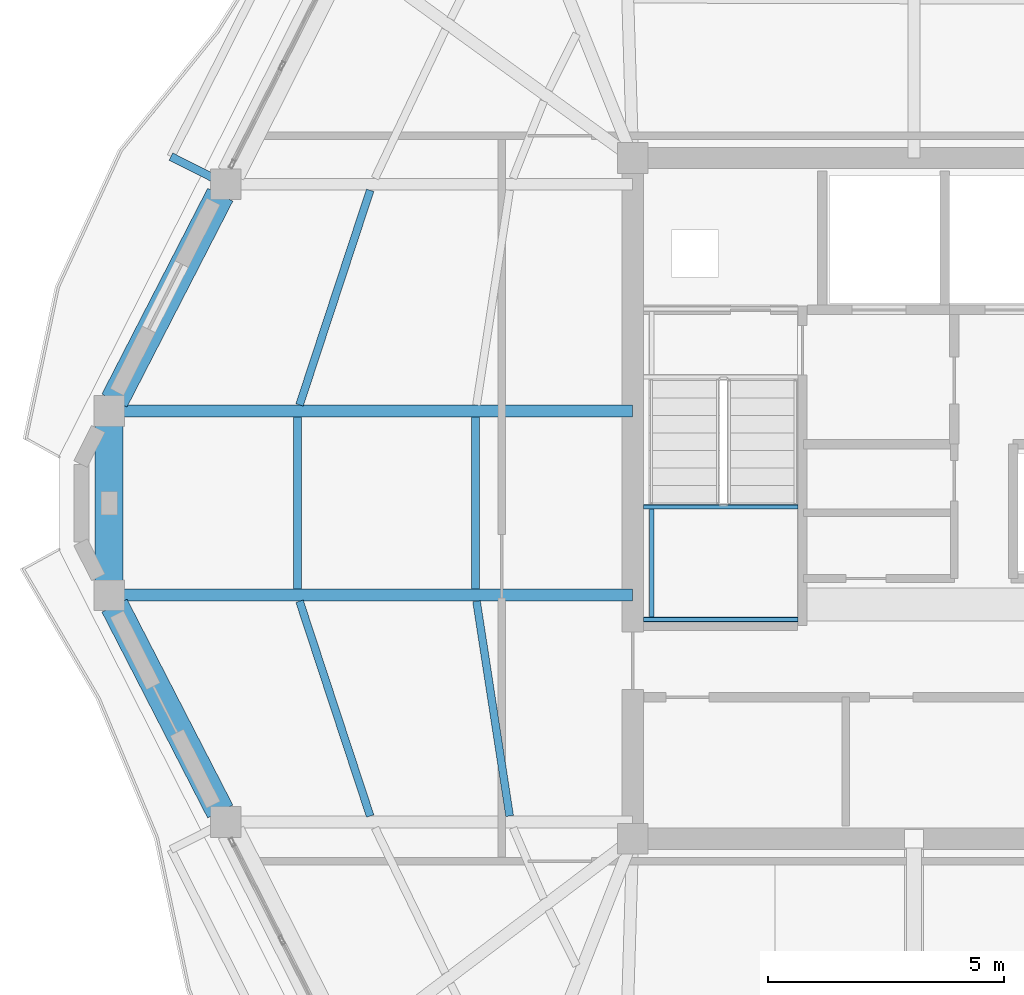
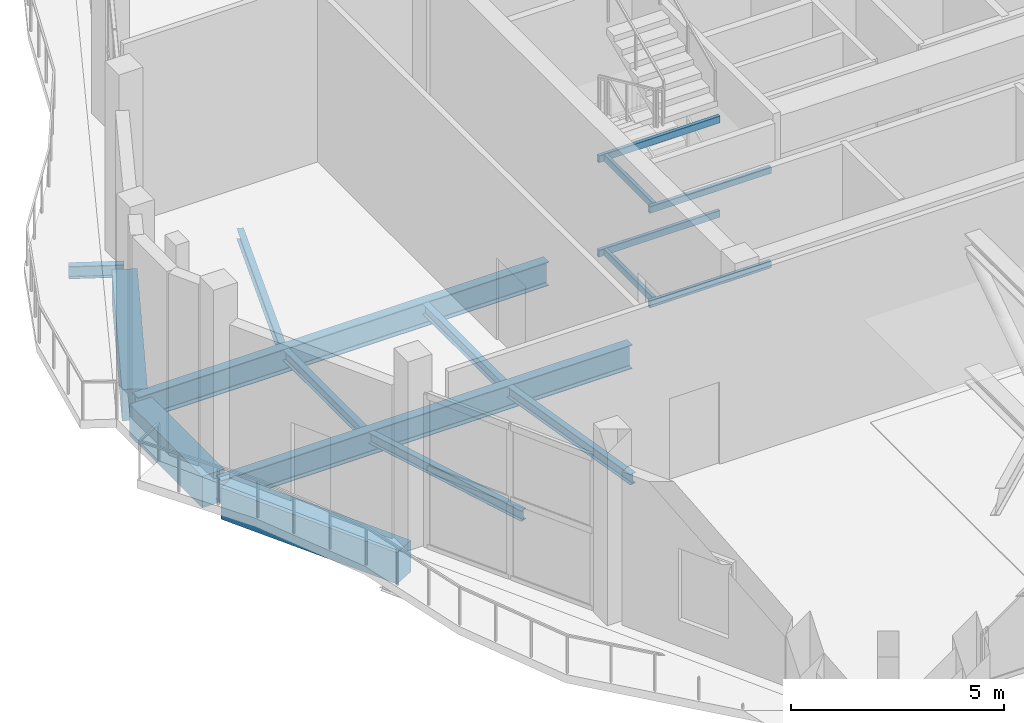
# One storey, part 7 of 23: 17 beams.
"""IFC4 building model written with IfcOpenShell, lengths in metres."""

from ifc_helpers import new_model, si_unit, direction, frame, origin, origin_2d, place, context, subcontext, project, spatial, rectangle, hollow_rectangle, i_section, extrude, material, material_profile, profile_set, type_object, element, save


model = new_model("IFC4")

# Units and contexts
model_context = context("Model", 3, precision=1e-05, world=origin(), true_north=direction((0.0, 1.0)))
body_context = subcontext(model_context, "Body", "Model", "MODEL_VIEW")
ifc_project = project(units=[si_unit("LENGTHUNIT", "METRE"), si_unit("AREAUNIT", "SQUARE_METRE"), si_unit("VOLUMEUNIT", "CUBIC_METRE"), si_unit("PLANEANGLEUNIT", "RADIAN"), si_unit("MASSUNIT", "GRAM", prefix="KILO")], contexts=[model_context])

# Site, building, storey
site_placement = place(None, origin())
site = spatial("IfcSite", under=ifc_project, at=site_placement, CompositionType="ELEMENT")
building_placement = place(site_placement, origin())
building = spatial("IfcBuilding", under=site, at=building_placement, Name="Cinnabar Lancet Tower", CompositionType="ELEMENT")
storey_placement = place(building_placement, frame((0.0, 0.0, 278.10009765625)))
storey = spatial("IfcBuildingStorey", under=building, at=storey_placement, Name="L74", CompositionType="ELEMENT", Elevation=278.10009765625)

# Beams
ifc_material_1 = material(Name="Structural steel S355", Category="steel")
ifc_material_profile_1 = material_profile(ifc_material_1, i_section(OverallWidth=0.1650390625, OverallDepth=0.303466796875, WebThickness=0.006103515625, FlangeThickness=0.01025390625, FilletRadius=0.0087890625, at=origin_2d()), Name="UKB 305x165x40")
ifc_profile_set_1 = profile_set([ifc_material_profile_1], Name="Structural steel S355")
beam_type_1 = type_object("IfcBeamType", Name="STR-BM-JST-305", PredefinedType="JOIST", material=ifc_profile_set_1)
beam_1_placement = place(storey_placement, frame((16.10498046875, 23.718017578125, -0.43212890625), z_axis=(0.312409135154, -0.949947647122, 0.0), x_axis=(0.949947647122, 0.312409135154, 0.0)))
element("IfcBeam", 1, at=beam_1_placement, inside=storey, type_object=beam_type_1, Name="L74 Secondary Floor Joist 1", PredefinedType="JOIST", context=body_context, shape_type="SweptSolid", body=[
    extrude(i_section(OverallWidth=0.1650390625, OverallDepth=0.303466796875, WebThickness=0.006103515625, FlangeThickness=0.01025390625, FilletRadius=0.0087890625, at=origin_2d()), origin(), (0.0, 0.0, 1.0), 4.79833984375),
])
beam_2_placement = place(storey_placement, frame((19.861083984375, 23.718017578125, -0.43212890625), z_axis=(0.152403249004, -0.988318394898, 0.0), x_axis=(0.988318394898, 0.152403249004, 0.0)))
element("IfcBeam", 2, at=beam_2_placement, inside=storey, type_object=beam_type_1, Name="L74 Secondary Floor Joist 2", PredefinedType="JOIST", context=body_context, shape_type="SweptSolid", body=[
    extrude(i_section(OverallWidth=0.1650390625, OverallDepth=0.303466796875, WebThickness=0.006103515625, FlangeThickness=0.01025390625, FilletRadius=0.0087890625, at=origin_2d()), origin(), (0.0, 0.0, 1.0), 4.612060546875),
])
beam_3_placement = place(storey_placement, frame((17.60400390625, 32.43994140625, -0.43212890625), z_axis=(-0.312424235907, -0.949942680806, 0.0), x_axis=(0.949942680806, -0.312424235907, 0.0)))
element("IfcBeam", 3, at=beam_3_placement, inside=storey, type_object=beam_type_1, Name="L74 Secondary Floor Joist 41", PredefinedType="JOIST", context=body_context, shape_type="SweptSolid", body=[
    extrude(i_section(OverallWidth=0.1650390625, OverallDepth=0.303466796875, WebThickness=0.006103515625, FlangeThickness=0.01025390625, FilletRadius=0.0087890625, at=origin_2d()), origin(), (0.0, 0.0, 1.0), 4.798095703125),
])
for number, where, z_axis, x_axis, name in (
    (4, (16.06298828125, 27.6279296875, -0.43212890625), (0.0, -1.0, 0.0), (1.0, 0.0, 0.0), "L74 Secondary Floor Joist 43"),
    (5, (19.841064453125, 27.6279296875, -0.43212890625), (0.0, -1.0, 0.0), (1.0, 0.0, 0.0), "L74 Secondary Floor Joist 44"),
):
    element("IfcBeam", number, at=place(storey_placement, frame(where, z_axis=z_axis, x_axis=x_axis)), inside=storey, type_object=beam_type_1, Name=name, PredefinedType="JOIST", context=body_context, shape_type="SweptSolid", body=[
        extrude(i_section(OverallWidth=0.1650390625, OverallDepth=0.303466796875, WebThickness=0.006103515625, FlangeThickness=0.01025390625, FilletRadius=0.0087890625, at=origin_2d()), origin(), (0.0, 0.0, 1.0), 3.656005859375),
    ])
ifc_material_2 = material(Name="Structural steel S355", Category="steel")
ifc_material_profile_2 = material_profile(ifc_material_2, hollow_rectangle(XDim=0.10009765625, YDim=0.199951171875, WallThickness=0.008056640625, InnerFilletRadius=0.00390625, OuterFilletRadius=0.011962890625, at=origin_2d()), Name="RHS 200x100x8")
ifc_profile_set_2 = profile_set([ifc_material_profile_2], Name="Structural steel S355")
beam_type_2 = type_object("IfcBeamType", Name="STR-BM-LND-203", PredefinedType="BEAM", material=ifc_profile_set_2)
for number, where, z_axis, x_axis, name in (
    (6, (23.39990234375, 23.330078125, 1.0498046875), (1.0, 0.0, 0.0), (0.0, 1.0, 0.0), "L74 ST-1-L74 Landing Support Beam S"),
    (7, (23.39990234375, 25.719970703125, 1.0498046875), (1.0, 0.0, 0.0), (0.0, 1.0, 0.0), "L74 ST-1-L74 Landing Support Beam N"),
):
    element("IfcBeam", number, at=place(storey_placement, frame(where, z_axis=z_axis, x_axis=x_axis)), inside=storey, type_object=beam_type_2, Name=name, PredefinedType="BEAM", context=body_context, shape_type="SweptSolid", body=[
        extrude(hollow_rectangle(XDim=0.10009765625, YDim=0.199951171875, WallThickness=0.008056640625, InnerFilletRadius=0.00390625, OuterFilletRadius=0.011962890625, at=origin_2d()), origin(), (0.0, 0.0, 1.0), 3.280029296875),
    ])
beam_4_placement = place(storey_placement, frame((23.580078125, 23.3798828125, 1.0498046875), z_axis=(0.0, 1.0, 0.0), x_axis=(-1.0, 0.0, 0.0)))
element("IfcBeam", 8, at=beam_4_placement, inside=storey, type_object=beam_type_2, Name="L74 ST-1-L74 Landing Side Trimmer Beam", PredefinedType="BEAM", context=body_context, shape_type="SweptSolid", body=[
    extrude(hollow_rectangle(XDim=0.10009765625, YDim=0.199951171875, WallThickness=0.008056640625, InnerFilletRadius=0.00390625, OuterFilletRadius=0.011962890625, at=origin_2d()), origin(), (0.0, 0.0, 1.0), 2.2900390625),
])
for number, where, z_axis, x_axis, name in (
    (9, (23.39990234375, 23.330078125, 3.75), (1.0, 0.0, 0.0), (0.0, 1.0, 0.0), "L74 ST-1-L74 Landing Support Beam S"),
    (10, (23.39990234375, 25.719970703125, 3.75), (1.0, 0.0, 0.0), (0.0, 1.0, 0.0), "L74 ST-1-L74 Landing Support Beam N"),
):
    element("IfcBeam", number, at=place(storey_placement, frame(where, z_axis=z_axis, x_axis=x_axis)), inside=storey, type_object=beam_type_2, Name=name, PredefinedType="BEAM", context=body_context, shape_type="SweptSolid", body=[
        extrude(hollow_rectangle(XDim=0.10009765625, YDim=0.199951171875, WallThickness=0.008056640625, InnerFilletRadius=0.00390625, OuterFilletRadius=0.011962890625, at=origin_2d()), origin(), (0.0, 0.0, 1.0), 3.280029296875),
    ])
beam_5_placement = place(storey_placement, frame((23.580078125, 23.3798828125, 3.75), z_axis=(0.0, 1.0, 0.0), x_axis=(-1.0, 0.0, 0.0)))
element("IfcBeam", 11, at=beam_5_placement, inside=storey, type_object=beam_type_2, Name="L74 ST-1-L74 Landing Side Trimmer Beam", PredefinedType="BEAM", context=body_context, shape_type="SweptSolid", body=[
    extrude(hollow_rectangle(XDim=0.10009765625, YDim=0.199951171875, WallThickness=0.008056640625, InnerFilletRadius=0.00390625, OuterFilletRadius=0.011962890625, at=origin_2d()), origin(), (0.0, 0.0, 1.0), 2.2900390625),
])
ifc_material_3 = material(Name="Concrete C60/75", Category="concrete")
ifc_material_profile_3 = material_profile(ifc_material_3, rectangle(XDim=0.60009765625, YDim=0.89990234375, at=origin_2d()), Name="RC-SB 600x900")
ifc_profile_set_3 = profile_set([ifc_material_profile_3], Name="Concrete C60/75")
beam_type_3 = type_object("IfcBeamType", Name="STR-BM-RCSB-900", PredefinedType="SPANDREL", material=ifc_profile_set_3)
beam_6_placement = place(storey_placement, frame((14.422119140625, 32.344970703125, -0.72998046875), z_axis=(-0.457148063427, -0.889390604912, 0.0), x_axis=(0.889390604912, -0.457148063427, 0.0)))
element("IfcBeam", 12, at=beam_6_placement, inside=storey, type_object=beam_type_3, Name="L74 Perimeter Spandrel 19", PredefinedType="SPANDREL", context=body_context, shape_type="SweptSolid", body=[
    extrude(rectangle(XDim=0.60009765625, YDim=0.89990234375, at=origin_2d()), origin(), (0.0, 0.0, 1.0), 4.9111328125),
])
beam_7_placement = place(storey_placement, frame((12.06298828125, 27.5048828125, -0.72998046875), z_axis=(0.0, -1.0, 0.0), x_axis=(1.0, 0.0, 0.0)))
element("IfcBeam", 13, at=beam_7_placement, inside=storey, type_object=beam_type_3, Name="L74 Perimeter Spandrel 20", PredefinedType="SPANDREL", context=body_context, shape_type="SweptSolid", body=[
    extrude(rectangle(XDim=0.60009765625, YDim=0.89990234375, at=origin_2d()), origin(), (0.0, 0.0, 1.0), 3.409912109375),
])
beam_8_placement = place(storey_placement, frame((12.177001953125, 23.623046875, -0.72998046875), z_axis=(0.457127852293, -0.889400993174, 0.0), x_axis=(0.889400993174, 0.457127852293, 0.0)))
element("IfcBeam", 14, at=beam_8_placement, inside=storey, type_object=beam_type_3, Name="L74 Perimeter Spandrel 21", PredefinedType="SPANDREL", context=body_context, shape_type="SweptSolid", body=[
    extrude(rectangle(XDim=0.60009765625, YDim=0.89990234375, at=origin_2d()), origin(), (0.0, 0.0, 1.0), 4.911376953125),
])
ifc_material_4 = material(Name="Structural steel S355", Category="steel")
ifc_material_profile_4 = material_profile(ifc_material_4, i_section(OverallWidth=0.253662109375, OverallDepth=0.68359375, WebThickness=0.012451171875, FlangeThickness=0.01904296875, FilletRadius=0.01513671875, at=origin_2d()), Name="UKB 686x254x140")
ifc_profile_set_4 = profile_set([ifc_material_profile_4], Name="Structural steel S355")
beam_type_4 = type_object("IfcBeamType", Name="STR-BM-UKB686-140", PredefinedType="BEAM", material=ifc_profile_set_4)
for number, where, z_axis, x_axis, name in (
    (15, (12.06298828125, 27.7548828125, -0.6220703125), (1.0, 0.0, 0.0), (0.0, 1.0, 0.0), "L74 Primary Floor Girder 20"),
    (16, (12.06298828125, 23.844970703125, -0.6220703125), (1.0, 0.0, 0.0), (0.0, 1.0, 0.0), "L74 Primary Floor Girder 21"),
):
    element("IfcBeam", number, at=place(storey_placement, frame(where, z_axis=z_axis, x_axis=x_axis)), inside=storey, type_object=beam_type_4, Name=name, PredefinedType="BEAM", context=body_context, shape_type="SweptSolid", body=[
        extrude(i_section(OverallWidth=0.253662109375, OverallDepth=0.68359375, WebThickness=0.012451171875, FlangeThickness=0.01904296875, FilletRadius=0.01513671875, at=origin_2d()), origin(), (0.0, 0.0, 1.0), 11.112060546875),
    ])
ifc_material_5 = material(Name="Structural steel S355", Category="steel")
ifc_material_profile_5 = material_profile(ifc_material_5, i_section(OverallWidth=0.17138671875, OverallDepth=0.35498046875, WebThickness=0.00732421875, FlangeThickness=0.011474609375, FilletRadius=0.01025390625, at=origin_2d()), Name="UKB 356x171x51")
ifc_profile_set_5 = profile_set([ifc_material_profile_5], Name="Structural steel S355")
beam_type_5 = type_object("IfcBeamType", Name="STR-BM-WAV-OUT", PredefinedType="BEAM", material=ifc_profile_set_5)
beam_9_placement = place(storey_placement, frame((14.535888671875, 32.56689453125, -0.4580078125), z_axis=(-0.892200264127, 0.451639998995, 0.0), x_axis=(-0.451639998995, -0.892200264127, 0.0)))
element("IfcBeam", 17, at=beam_9_placement, inside=storey, type_object=beam_type_5, Name="L74 Face 5 Balcony Outlooker B", PredefinedType="BEAM", context=body_context, shape_type="SweptSolid", body=[
    extrude(i_section(OverallWidth=0.17138671875, OverallDepth=0.35498046875, WebThickness=0.00732421875, FlangeThickness=0.011474609375, FilletRadius=0.01025390625, at=origin_2d()), origin(), (0.0, 0.0, 1.0), 1.300048828125),
])

save(model, "model.ifc")
